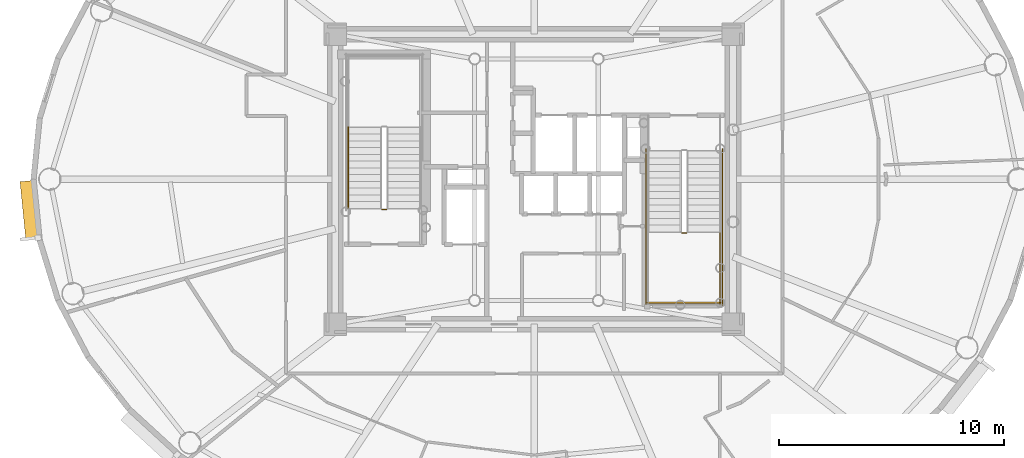
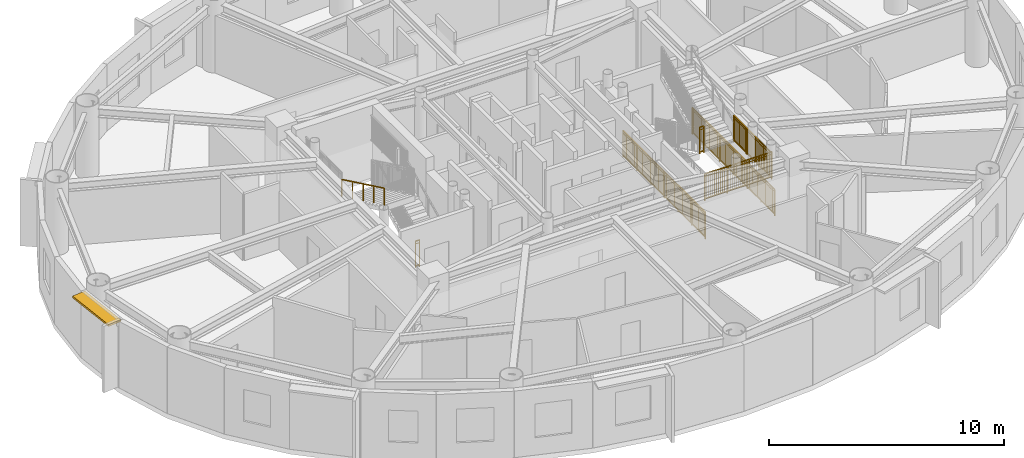
# One storey, part 13 of 17: 7 railings, 1 shading device.
"""IFC4 building model written with IfcOpenShell, lengths in metres."""

from ifc_helpers import new_model, si_unit, direction, frame, origin, origin_2d, place, context, subcontext, project, spatial, rectangle, extrude, source, transform, mapped, material, layer, layer_set, type_object, element, save


model = new_model("IFC4")

# Units and contexts
model_context = context("Model", 3, precision=1e-05, world=origin(), true_north=direction((0.0, 1.0)))
body_context = subcontext(model_context, "Body", "Model", "MODEL_VIEW")
ifc_project = project(units=[si_unit("LENGTHUNIT", "METRE"), si_unit("AREAUNIT", "SQUARE_METRE"), si_unit("VOLUMEUNIT", "CUBIC_METRE"), si_unit("PLANEANGLEUNIT", "RADIAN"), si_unit("MASSUNIT", "GRAM", prefix="KILO")], contexts=[model_context])

# Site, building, storey
site_placement = place(None, origin())
site = spatial("IfcSite", under=ifc_project, at=site_placement, CompositionType="ELEMENT")
building_placement = place(site_placement, origin())
building = spatial("IfcBuilding", under=site, at=building_placement, Name="Linh Dai School and Residence Tower", CompositionType="ELEMENT")
storey_placement = place(building_placement, frame((0.0, 0.0, 314.25)))
storey = spatial("IfcBuildingStorey", under=building, at=storey_placement, Name="L78", CompositionType="ELEMENT", Elevation=314.25)

# Shading device
ifc_material_1 = material(Name="Terracotta Ceramic Sunshade", Category="masonry")
ifc_layer = layer(ifc_material_1, 0.10009765625)
ifc_layer_set = layer_set([ifc_layer], Name="Terracotta Ceramic Sunshade")
shading_device_type = type_object("IfcShadingDeviceType", Name="SHD-TC-650", PredefinedType="USERDEFINED", material=ifc_layer_set)
shared_shape_1 = source(origin(), body_context, "Body", "SweptSolid", [
    extrude(rectangle(XDim=2.62353515625, YDim=0.64990234375, at=origin_2d()), origin(), (0.0, 0.0, 1.0), 0.10009765625),
])
shading_device_placement = place(storey_placement, frame((13.578125, 25.612060546875, 3.329833984375), z_axis=(0.0, 0.0, 1.0), x_axis=(-0.100008034283, 0.994986629598, 0.0)))
element("IfcShadingDevice", 1, at=shading_device_placement, inside=storey, type_object=shading_device_type, Name="L78 Terracotta Horizontal Sunshade Band 21", ObjectType="SUNSHADE", PredefinedType="USERDEFINED", context=body_context, shape_type="MappedRepresentation", body=[
    mapped(shared_shape_1, transform((0.0, 0.0, 0.0), x_axis=(1.0, 0.0, 0.0), y_axis=(0.0, 1.0, 0.0), z_axis=(0.0, 0.0, 1.0), scale=1.0)),
])

# Railings
ifc_material_2 = material(Name="Structural Steel S355JR", Category="steel")
railing_type_1 = type_object("IfcRailingType", Name="RL-ST-GUARD-1400", PredefinedType="GUARDRAIL", material=ifc_material_2)
shared_shape_2 = source(origin(), body_context, "Body", "SweptSolid", [
    extrude(rectangle(XDim=0.048095703125, YDim=0.048095703125, at=origin_2d()), frame((0.0, 0.0, 1.3759765625), z_axis=(-1.0, 0.0, 0.0), x_axis=(0.0, -1.0, 0.0)), (0.0, 0.0, 1.0), 0.199951171875),
    extrude(rectangle(XDim=0.048095703125, YDim=0.048095703125, at=origin_2d()), frame((0.0, 0.0, 0.10009765625), z_axis=(-1.0, 0.0, 0.0), x_axis=(0.0, -1.0, 0.0)), (0.0, 0.0, 1.0), 0.199951171875),
    extrude(rectangle(XDim=0.030029296875, YDim=0.030029296875, at=origin_2d()), frame((0.0, 0.0, 1.239990234375), z_axis=(-1.0, 0.0, 0.0), x_axis=(0.0, -1.0, 0.0)), (0.0, 0.0, 1.0), 0.199951171875),
    extrude(rectangle(XDim=0.0419921875, YDim=0.0419921875, at=origin_2d()), origin(), (0.0, 0.0, 1.0), 1.3759765625),
    extrude(rectangle(XDim=0.0419921875, YDim=0.0419921875, at=origin_2d()), frame((-0.199951171875, 0.0, 0.0)), (0.0, 0.0, 1.0), 1.3759765625),
])
railing_1_placement = place(storey_placement, frame((29.429931640625, 25.64990234375, 0.0)))
element("IfcRailing", 2, at=railing_1_placement, inside=storey, type_object=railing_type_1, Name="L78 ST1 stair guard 7", PredefinedType="GUARDRAIL", context=body_context, shape_type="MappedRepresentation", body=[
    mapped(shared_shape_2, transform((0.0, 0.0, 0.0), x_axis=(1.0, 0.0, 0.0), y_axis=(0.0, 1.0, 0.0), z_axis=(0.0, 0.0, 1.0), scale=1.0)),
])
ifc_material_3 = material(Name="Brushed Stainless Steel Handrail", Category="steel")
railing_type_2 = type_object("IfcRailingType", Name="RL-ST-HANDRAIL-900", PredefinedType="HANDRAIL", material=ifc_material_3)
shared_shape_3 = source(origin(), body_context, "Body", "SweptSolid", [
    extrude(rectangle(XDim=0.048095703125, YDim=0.048095703125, at=origin_2d()), frame((0.0, 0.0, 0.8759765625), z_axis=(0.0, -0.901262522062, 0.433273431364), x_axis=(1.0, 0.0, 0.0)), (0.0, 0.0, 1.0), 3.994384765625),
    extrude(rectangle(XDim=0.0419921875, YDim=0.0419921875, at=origin_2d()), origin(), (0.0, 0.0, 1.0), 0.8759765625),
    extrude(rectangle(XDim=0.0419921875, YDim=0.0419921875, at=origin_2d()), frame((0.0, -0.89990234375, 0.4326171875)), (0.0, 0.0, 1.0), 0.8759765625),
    extrude(rectangle(XDim=0.0419921875, YDim=0.0419921875, at=origin_2d()), frame((0.0, -1.800048828125, 0.865234375)), (0.0, 0.0, 1.0), 0.8759765625),
    extrude(rectangle(XDim=0.0419921875, YDim=0.0419921875, at=origin_2d()), frame((0.0, -2.7001953125, 1.298095703125)), (0.0, 0.0, 1.0), 0.8759765625),
    extrude(rectangle(XDim=0.0419921875, YDim=0.0419921875, at=origin_2d()), frame((0.0, -3.60009765625, 1.730712890625)), (0.0, 0.0, 1.0), 0.8759765625),
])
railing_2_placement = place(storey_placement, frame((27.72998046875, 29.300048828125, 2.019287109375)))
element("IfcRailing", 3, at=railing_2_placement, inside=storey, type_object=railing_type_2, Name="L78 ST1 stair handrail 2", PredefinedType="HANDRAIL", context=body_context, shape_type="MappedRepresentation", body=[
    mapped(shared_shape_3, transform((0.0, 0.0, 0.0), x_axis=(1.0, 0.0, 0.0), y_axis=(0.0, 1.0, 0.0), z_axis=(0.0, 0.0, 1.0), scale=1.0)),
])
shared_shape_4 = source(origin(), body_context, "Body", "SweptSolid", [
    extrude(rectangle(XDim=0.048095703125, YDim=0.048095703125, at=origin_2d()), frame((0.0, 0.0, 1.3759765625), z_axis=(1.0, 0.0, 0.0), x_axis=(0.0, 1.0, 0.0)), (0.0, 0.0, 1.0), 0.199951171875),
    extrude(rectangle(XDim=0.048095703125, YDim=0.048095703125, at=origin_2d()), frame((0.0, 0.0, 0.10009765625), z_axis=(1.0, 0.0, 0.0), x_axis=(0.0, 1.0, 0.0)), (0.0, 0.0, 1.0), 0.199951171875),
    extrude(rectangle(XDim=0.030029296875, YDim=0.030029296875, at=origin_2d()), frame((0.0, 0.0, 1.239990234375), z_axis=(1.0, 0.0, 0.0), x_axis=(0.0, 1.0, 0.0)), (0.0, 0.0, 1.0), 0.199951171875),
    extrude(rectangle(XDim=0.0419921875, YDim=0.0419921875, at=origin_2d()), origin(), (0.0, 0.0, 1.0), 1.3759765625),
    extrude(rectangle(XDim=0.0419921875, YDim=0.0419921875, at=origin_2d()), frame((0.199951171875, 0.0, 0.0)), (0.0, 0.0, 1.0), 1.3759765625),
])
railing_3_placement = place(storey_placement, frame((42.570068359375, 24.60009765625, 1.875)))
element("IfcRailing", 4, at=railing_3_placement, inside=storey, type_object=railing_type_1, Name="L78 ST2 stair guard 2", PredefinedType="GUARDRAIL", context=body_context, shape_type="MappedRepresentation", body=[
    mapped(shared_shape_4, transform((0.0, 0.0, 0.0), x_axis=(1.0, 0.0, 0.0), y_axis=(0.0, 1.0, 0.0), z_axis=(0.0, 0.0, 1.0), scale=1.0)),
])
shared_shape_5 = source(origin(), body_context, "Body", "SweptSolid", [
    extrude(rectangle(XDim=0.048095703125, YDim=0.048095703125, at=origin_2d()), frame((0.0, 0.0, 1.3759765625), z_axis=(1.0, 0.0, 0.0), x_axis=(0.0, 1.0, 0.0)), (0.0, 0.0, 1.0), 3.300048828125),
    extrude(rectangle(XDim=0.048095703125, YDim=0.048095703125, at=origin_2d()), frame((0.0, 0.0, 0.10009765625), z_axis=(1.0, 0.0, 0.0), x_axis=(0.0, 1.0, 0.0)), (0.0, 0.0, 1.0), 3.300048828125),
    extrude(rectangle(XDim=0.030029296875, YDim=0.030029296875, at=origin_2d()), frame((0.0, 0.0, 1.239990234375), z_axis=(1.0, 0.0, 0.0), x_axis=(0.0, 1.0, 0.0)), (0.0, 0.0, 1.0), 3.300048828125),
    extrude(rectangle(XDim=0.02001953125, YDim=0.02001953125, at=origin_2d()), frame((0.09716796875, 0.0, 0.10009765625)), (0.0, 0.0, 1.0), 1.251708984375),
    extrude(rectangle(XDim=0.02001953125, YDim=0.02001953125, at=origin_2d()), frame((0.194091796875, 0.0, 0.10009765625)), (0.0, 0.0, 1.0), 1.251708984375),
    extrude(rectangle(XDim=0.02001953125, YDim=0.02001953125, at=origin_2d()), frame((0.291259765625, 0.0, 0.10009765625)), (0.0, 0.0, 1.0), 1.251708984375),
    extrude(rectangle(XDim=0.02001953125, YDim=0.02001953125, at=origin_2d()), frame((0.38818359375, 0.0, 0.10009765625)), (0.0, 0.0, 1.0), 1.251708984375),
    extrude(rectangle(XDim=0.02001953125, YDim=0.02001953125, at=origin_2d()), frame((0.4853515625, 0.0, 0.10009765625)), (0.0, 0.0, 1.0), 1.251708984375),
    extrude(rectangle(XDim=0.02001953125, YDim=0.02001953125, at=origin_2d()), frame((0.582275390625, 0.0, 0.10009765625)), (0.0, 0.0, 1.0), 1.251708984375),
    extrude(rectangle(XDim=0.02001953125, YDim=0.02001953125, at=origin_2d()), frame((0.679443359375, 0.0, 0.10009765625)), (0.0, 0.0, 1.0), 1.251708984375),
    extrude(rectangle(XDim=0.02001953125, YDim=0.02001953125, at=origin_2d()), frame((0.7763671875, 0.0, 0.10009765625)), (0.0, 0.0, 1.0), 1.251708984375),
    extrude(rectangle(XDim=0.02001953125, YDim=0.02001953125, at=origin_2d()), frame((0.87353515625, 0.0, 0.10009765625)), (0.0, 0.0, 1.0), 1.251708984375),
    extrude(rectangle(XDim=0.02001953125, YDim=0.02001953125, at=origin_2d()), frame((0.970703125, 0.0, 0.10009765625)), (0.0, 0.0, 1.0), 1.251708984375),
    extrude(rectangle(XDim=0.02001953125, YDim=0.02001953125, at=origin_2d()), frame((1.164794921875, 0.0, 0.10009765625)), (0.0, 0.0, 1.0), 1.251708984375),
    extrude(rectangle(XDim=0.02001953125, YDim=0.02001953125, at=origin_2d()), frame((1.26171875, 0.0, 0.10009765625)), (0.0, 0.0, 1.0), 1.251708984375),
    extrude(rectangle(XDim=0.02001953125, YDim=0.02001953125, at=origin_2d()), frame((1.35888671875, 0.0, 0.10009765625)), (0.0, 0.0, 1.0), 1.251708984375),
    extrude(rectangle(XDim=0.02001953125, YDim=0.02001953125, at=origin_2d()), frame((1.455810546875, 0.0, 0.10009765625)), (0.0, 0.0, 1.0), 1.251708984375),
    extrude(rectangle(XDim=0.02001953125, YDim=0.02001953125, at=origin_2d()), frame((1.552978515625, 0.0, 0.10009765625)), (0.0, 0.0, 1.0), 1.251708984375),
    extrude(rectangle(XDim=0.02001953125, YDim=0.02001953125, at=origin_2d()), frame((1.64990234375, 0.0, 0.10009765625)), (0.0, 0.0, 1.0), 1.251708984375),
    extrude(rectangle(XDim=0.02001953125, YDim=0.02001953125, at=origin_2d()), frame((1.7470703125, 0.0, 0.10009765625)), (0.0, 0.0, 1.0), 1.251708984375),
    extrude(rectangle(XDim=0.02001953125, YDim=0.02001953125, at=origin_2d()), frame((1.84423828125, 0.0, 0.10009765625)), (0.0, 0.0, 1.0), 1.251708984375),
    extrude(rectangle(XDim=0.02001953125, YDim=0.02001953125, at=origin_2d()), frame((1.941162109375, 0.0, 0.10009765625)), (0.0, 0.0, 1.0), 1.251708984375),
    extrude(rectangle(XDim=0.02001953125, YDim=0.02001953125, at=origin_2d()), frame((2.038330078125, 0.0, 0.10009765625)), (0.0, 0.0, 1.0), 1.251708984375),
    extrude(rectangle(XDim=0.02001953125, YDim=0.02001953125, at=origin_2d()), frame((2.13525390625, 0.0, 0.10009765625)), (0.0, 0.0, 1.0), 1.251708984375),
    extrude(rectangle(XDim=0.02001953125, YDim=0.02001953125, at=origin_2d()), frame((2.329345703125, 0.0, 0.10009765625)), (0.0, 0.0, 1.0), 1.251708984375),
    extrude(rectangle(XDim=0.02001953125, YDim=0.02001953125, at=origin_2d()), frame((2.426513671875, 0.0, 0.10009765625)), (0.0, 0.0, 1.0), 1.251708984375),
    extrude(rectangle(XDim=0.02001953125, YDim=0.02001953125, at=origin_2d()), frame((2.523681640625, 0.0, 0.10009765625)), (0.0, 0.0, 1.0), 1.251708984375),
    extrude(rectangle(XDim=0.02001953125, YDim=0.02001953125, at=origin_2d()), frame((2.62060546875, 0.0, 0.10009765625)), (0.0, 0.0, 1.0), 1.251708984375),
    extrude(rectangle(XDim=0.02001953125, YDim=0.02001953125, at=origin_2d()), frame((2.7177734375, 0.0, 0.10009765625)), (0.0, 0.0, 1.0), 1.251708984375),
    extrude(rectangle(XDim=0.02001953125, YDim=0.02001953125, at=origin_2d()), frame((2.814697265625, 0.0, 0.10009765625)), (0.0, 0.0, 1.0), 1.251708984375),
    extrude(rectangle(XDim=0.02001953125, YDim=0.02001953125, at=origin_2d()), frame((2.911865234375, 0.0, 0.10009765625)), (0.0, 0.0, 1.0), 1.251708984375),
    extrude(rectangle(XDim=0.02001953125, YDim=0.02001953125, at=origin_2d()), frame((3.0087890625, 0.0, 0.10009765625)), (0.0, 0.0, 1.0), 1.251708984375),
    extrude(rectangle(XDim=0.02001953125, YDim=0.02001953125, at=origin_2d()), frame((3.10595703125, 0.0, 0.10009765625)), (0.0, 0.0, 1.0), 1.251708984375),
    extrude(rectangle(XDim=0.02001953125, YDim=0.02001953125, at=origin_2d()), frame((3.202880859375, 0.0, 0.10009765625)), (0.0, 0.0, 1.0), 1.251708984375),
    extrude(rectangle(XDim=0.0419921875, YDim=0.0419921875, at=origin_2d()), origin(), (0.0, 0.0, 1.0), 1.3759765625),
    extrude(rectangle(XDim=0.0419921875, YDim=0.0419921875, at=origin_2d()), frame((1.10009765625, 0.0, 0.0)), (0.0, 0.0, 1.0), 1.3759765625),
    extrude(rectangle(XDim=0.0419921875, YDim=0.0419921875, at=origin_2d()), frame((2.199951171875, 0.0, 0.0)), (0.0, 0.0, 1.0), 1.3759765625),
    extrude(rectangle(XDim=0.0419921875, YDim=0.0419921875, at=origin_2d()), frame((3.300048828125, 0.0, 0.0)), (0.0, 0.0, 1.0), 1.3759765625),
])
railing_4_placement = place(storey_placement, frame((41.02001953125, 21.5, 1.875)))
element("IfcRailing", 5, at=railing_4_placement, inside=storey, type_object=railing_type_1, Name="L78 ST2 stair guard 5", PredefinedType="GUARDRAIL", context=body_context, shape_type="MappedRepresentation", body=[
    mapped(shared_shape_5, transform((0.0, 0.0, 0.0), x_axis=(1.0, 0.0, 0.0), y_axis=(0.0, 1.0, 0.0), z_axis=(0.0, 0.0, 1.0), scale=1.0)),
])
shared_shape_6 = source(origin(), body_context, "Body", "SweptSolid", [
    extrude(rectangle(XDim=0.048095703125, YDim=0.048095703125, at=origin_2d()), frame((0.0, 0.0, 1.3759765625), z_axis=(0.0, -1.0, 0.0), x_axis=(1.0, 0.0, 0.0)), (0.0, 0.0, 1.0), 7.0),
    extrude(rectangle(XDim=0.048095703125, YDim=0.048095703125, at=origin_2d()), frame((0.0, 0.0, 0.10009765625), z_axis=(0.0, -1.0, 0.0), x_axis=(1.0, 0.0, 0.0)), (0.0, 0.0, 1.0), 7.0),
    extrude(rectangle(XDim=0.030029296875, YDim=0.030029296875, at=origin_2d()), frame((0.0, 0.0, 1.239990234375), z_axis=(0.0, -1.0, 0.0), x_axis=(1.0, 0.0, 0.0)), (0.0, 0.0, 1.0), 7.0),
    extrude(rectangle(XDim=0.02001953125, YDim=0.02001953125, at=origin_2d()), frame((0.0, -0.09716796875, 0.10009765625)), (0.0, 0.0, 1.0), 1.251708984375),
    extrude(rectangle(XDim=0.02001953125, YDim=0.02001953125, at=origin_2d()), frame((0.0, -0.1943359375, 0.10009765625)), (0.0, 0.0, 1.0), 1.251708984375),
    extrude(rectangle(XDim=0.02001953125, YDim=0.02001953125, at=origin_2d()), frame((0.0, -0.291748046875, 0.10009765625)), (0.0, 0.0, 1.0), 1.251708984375),
    extrude(rectangle(XDim=0.02001953125, YDim=0.02001953125, at=origin_2d()), frame((0.0, -0.388916015625, 0.10009765625)), (0.0, 0.0, 1.0), 1.251708984375),
    extrude(rectangle(XDim=0.02001953125, YDim=0.02001953125, at=origin_2d()), frame((0.0, -0.486083984375, 0.10009765625)), (0.0, 0.0, 1.0), 1.251708984375),
    extrude(rectangle(XDim=0.02001953125, YDim=0.02001953125, at=origin_2d()), frame((0.0, -0.583251953125, 0.10009765625)), (0.0, 0.0, 1.0), 1.251708984375),
    extrude(rectangle(XDim=0.02001953125, YDim=0.02001953125, at=origin_2d()), frame((0.0, -0.6806640625, 0.10009765625)), (0.0, 0.0, 1.0), 1.251708984375),
    extrude(rectangle(XDim=0.02001953125, YDim=0.02001953125, at=origin_2d()), frame((0.0, -0.77783203125, 0.10009765625)), (0.0, 0.0, 1.0), 1.251708984375),
    extrude(rectangle(XDim=0.02001953125, YDim=0.02001953125, at=origin_2d()), frame((0.0, -0.875, 0.10009765625)), (0.0, 0.0, 1.0), 1.251708984375),
    extrude(rectangle(XDim=0.02001953125, YDim=0.02001953125, at=origin_2d()), frame((0.0, -0.97216796875, 0.10009765625)), (0.0, 0.0, 1.0), 1.251708984375),
    extrude(rectangle(XDim=0.02001953125, YDim=0.02001953125, at=origin_2d()), frame((0.0, -1.0693359375, 0.10009765625)), (0.0, 0.0, 1.0), 1.251708984375),
    extrude(rectangle(XDim=0.02001953125, YDim=0.02001953125, at=origin_2d()), frame((0.0, -1.263916015625, 0.10009765625)), (0.0, 0.0, 1.0), 1.251708984375),
    extrude(rectangle(XDim=0.02001953125, YDim=0.02001953125, at=origin_2d()), frame((0.0, -1.361083984375, 0.10009765625)), (0.0, 0.0, 1.0), 1.251708984375),
    extrude(rectangle(XDim=0.02001953125, YDim=0.02001953125, at=origin_2d()), frame((0.0, -1.458251953125, 0.10009765625)), (0.0, 0.0, 1.0), 1.251708984375),
    extrude(rectangle(XDim=0.02001953125, YDim=0.02001953125, at=origin_2d()), frame((0.0, -1.5556640625, 0.10009765625)), (0.0, 0.0, 1.0), 1.251708984375),
    extrude(rectangle(XDim=0.02001953125, YDim=0.02001953125, at=origin_2d()), frame((0.0, -1.65283203125, 0.10009765625)), (0.0, 0.0, 1.0), 1.251708984375),
    extrude(rectangle(XDim=0.02001953125, YDim=0.02001953125, at=origin_2d()), frame((0.0, -1.75, 0.10009765625)), (0.0, 0.0, 1.0), 1.251708984375),
    extrude(rectangle(XDim=0.02001953125, YDim=0.02001953125, at=origin_2d()), frame((0.0, -1.84716796875, 0.10009765625)), (0.0, 0.0, 1.0), 1.251708984375),
    extrude(rectangle(XDim=0.02001953125, YDim=0.02001953125, at=origin_2d()), frame((0.0, -1.9443359375, 0.10009765625)), (0.0, 0.0, 1.0), 1.251708984375),
    extrude(rectangle(XDim=0.02001953125, YDim=0.02001953125, at=origin_2d()), frame((0.0, -2.041748046875, 0.10009765625)), (0.0, 0.0, 1.0), 1.251708984375),
    extrude(rectangle(XDim=0.02001953125, YDim=0.02001953125, at=origin_2d()), frame((0.0, -2.138916015625, 0.10009765625)), (0.0, 0.0, 1.0), 1.251708984375),
    extrude(rectangle(XDim=0.02001953125, YDim=0.02001953125, at=origin_2d()), frame((0.0, -2.236083984375, 0.10009765625)), (0.0, 0.0, 1.0), 1.251708984375),
    extrude(rectangle(XDim=0.02001953125, YDim=0.02001953125, at=origin_2d()), frame((0.0, -2.4306640625, 0.10009765625)), (0.0, 0.0, 1.0), 1.251708984375),
    extrude(rectangle(XDim=0.02001953125, YDim=0.02001953125, at=origin_2d()), frame((0.0, -2.52783203125, 0.10009765625)), (0.0, 0.0, 1.0), 1.251708984375),
    extrude(rectangle(XDim=0.02001953125, YDim=0.02001953125, at=origin_2d()), frame((0.0, -2.625, 0.10009765625)), (0.0, 0.0, 1.0), 1.251708984375),
    extrude(rectangle(XDim=0.02001953125, YDim=0.02001953125, at=origin_2d()), frame((0.0, -2.72216796875, 0.10009765625)), (0.0, 0.0, 1.0), 1.251708984375),
    extrude(rectangle(XDim=0.02001953125, YDim=0.02001953125, at=origin_2d()), frame((0.0, -2.8193359375, 0.10009765625)), (0.0, 0.0, 1.0), 1.251708984375),
    extrude(rectangle(XDim=0.02001953125, YDim=0.02001953125, at=origin_2d()), frame((0.0, -2.916748046875, 0.10009765625)), (0.0, 0.0, 1.0), 1.251708984375),
    extrude(rectangle(XDim=0.02001953125, YDim=0.02001953125, at=origin_2d()), frame((0.0, -3.013916015625, 0.10009765625)), (0.0, 0.0, 1.0), 1.251708984375),
    extrude(rectangle(XDim=0.02001953125, YDim=0.02001953125, at=origin_2d()), frame((0.0, -3.111083984375, 0.10009765625)), (0.0, 0.0, 1.0), 1.251708984375),
    extrude(rectangle(XDim=0.02001953125, YDim=0.02001953125, at=origin_2d()), frame((0.0, -3.208251953125, 0.10009765625)), (0.0, 0.0, 1.0), 1.251708984375),
    extrude(rectangle(XDim=0.02001953125, YDim=0.02001953125, at=origin_2d()), frame((0.0, -3.3056640625, 0.10009765625)), (0.0, 0.0, 1.0), 1.251708984375),
    extrude(rectangle(XDim=0.02001953125, YDim=0.02001953125, at=origin_2d()), frame((0.0, -3.40283203125, 0.10009765625)), (0.0, 0.0, 1.0), 1.251708984375),
    extrude(rectangle(XDim=0.02001953125, YDim=0.02001953125, at=origin_2d()), frame((0.0, -3.59716796875, 0.10009765625)), (0.0, 0.0, 1.0), 1.251708984375),
    extrude(rectangle(XDim=0.02001953125, YDim=0.02001953125, at=origin_2d()), frame((0.0, -3.6943359375, 0.10009765625)), (0.0, 0.0, 1.0), 1.251708984375),
    extrude(rectangle(XDim=0.02001953125, YDim=0.02001953125, at=origin_2d()), frame((0.0, -3.791748046875, 0.10009765625)), (0.0, 0.0, 1.0), 1.251708984375),
    extrude(rectangle(XDim=0.02001953125, YDim=0.02001953125, at=origin_2d()), frame((0.0, -3.888916015625, 0.10009765625)), (0.0, 0.0, 1.0), 1.251708984375),
    extrude(rectangle(XDim=0.02001953125, YDim=0.02001953125, at=origin_2d()), frame((0.0, -3.986083984375, 0.10009765625)), (0.0, 0.0, 1.0), 1.251708984375),
    extrude(rectangle(XDim=0.02001953125, YDim=0.02001953125, at=origin_2d()), frame((0.0, -4.083251953125, 0.10009765625)), (0.0, 0.0, 1.0), 1.251708984375),
    extrude(rectangle(XDim=0.02001953125, YDim=0.02001953125, at=origin_2d()), frame((0.0, -4.1806640625, 0.10009765625)), (0.0, 0.0, 1.0), 1.251708984375),
    extrude(rectangle(XDim=0.02001953125, YDim=0.02001953125, at=origin_2d()), frame((0.0, -4.27783203125, 0.10009765625)), (0.0, 0.0, 1.0), 1.251708984375),
    extrude(rectangle(XDim=0.02001953125, YDim=0.02001953125, at=origin_2d()), frame((0.0, -4.375, 0.10009765625)), (0.0, 0.0, 1.0), 1.251708984375),
    extrude(rectangle(XDim=0.02001953125, YDim=0.02001953125, at=origin_2d()), frame((0.0, -4.47216796875, 0.10009765625)), (0.0, 0.0, 1.0), 1.251708984375),
    extrude(rectangle(XDim=0.02001953125, YDim=0.02001953125, at=origin_2d()), frame((0.0, -4.5693359375, 0.10009765625)), (0.0, 0.0, 1.0), 1.251708984375),
    extrude(rectangle(XDim=0.02001953125, YDim=0.02001953125, at=origin_2d()), frame((0.0, -4.763916015625, 0.10009765625)), (0.0, 0.0, 1.0), 1.251708984375),
    extrude(rectangle(XDim=0.02001953125, YDim=0.02001953125, at=origin_2d()), frame((0.0, -4.861083984375, 0.10009765625)), (0.0, 0.0, 1.0), 1.251708984375),
    extrude(rectangle(XDim=0.02001953125, YDim=0.02001953125, at=origin_2d()), frame((0.0, -4.958251953125, 0.10009765625)), (0.0, 0.0, 1.0), 1.251708984375),
    extrude(rectangle(XDim=0.02001953125, YDim=0.02001953125, at=origin_2d()), frame((0.0, -5.0556640625, 0.10009765625)), (0.0, 0.0, 1.0), 1.251708984375),
    extrude(rectangle(XDim=0.02001953125, YDim=0.02001953125, at=origin_2d()), frame((0.0, -5.15283203125, 0.10009765625)), (0.0, 0.0, 1.0), 1.251708984375),
    extrude(rectangle(XDim=0.02001953125, YDim=0.02001953125, at=origin_2d()), frame((0.0, -5.25, 0.10009765625)), (0.0, 0.0, 1.0), 1.251708984375),
    extrude(rectangle(XDim=0.02001953125, YDim=0.02001953125, at=origin_2d()), frame((0.0, -5.34716796875, 0.10009765625)), (0.0, 0.0, 1.0), 1.251708984375),
    extrude(rectangle(XDim=0.02001953125, YDim=0.02001953125, at=origin_2d()), frame((0.0, -5.4443359375, 0.10009765625)), (0.0, 0.0, 1.0), 1.251708984375),
    extrude(rectangle(XDim=0.02001953125, YDim=0.02001953125, at=origin_2d()), frame((0.0, -5.541748046875, 0.10009765625)), (0.0, 0.0, 1.0), 1.251708984375),
    extrude(rectangle(XDim=0.02001953125, YDim=0.02001953125, at=origin_2d()), frame((0.0, -5.638916015625, 0.10009765625)), (0.0, 0.0, 1.0), 1.251708984375),
    extrude(rectangle(XDim=0.02001953125, YDim=0.02001953125, at=origin_2d()), frame((0.0, -5.736083984375, 0.10009765625)), (0.0, 0.0, 1.0), 1.251708984375),
    extrude(rectangle(XDim=0.02001953125, YDim=0.02001953125, at=origin_2d()), frame((0.0, -5.9306640625, 0.10009765625)), (0.0, 0.0, 1.0), 1.251708984375),
    extrude(rectangle(XDim=0.02001953125, YDim=0.02001953125, at=origin_2d()), frame((0.0, -6.02783203125, 0.10009765625)), (0.0, 0.0, 1.0), 1.251708984375),
    extrude(rectangle(XDim=0.02001953125, YDim=0.02001953125, at=origin_2d()), frame((0.0, -6.125, 0.10009765625)), (0.0, 0.0, 1.0), 1.251708984375),
    extrude(rectangle(XDim=0.02001953125, YDim=0.02001953125, at=origin_2d()), frame((0.0, -6.22216796875, 0.10009765625)), (0.0, 0.0, 1.0), 1.251708984375),
    extrude(rectangle(XDim=0.02001953125, YDim=0.02001953125, at=origin_2d()), frame((0.0, -6.3193359375, 0.10009765625)), (0.0, 0.0, 1.0), 1.251708984375),
    extrude(rectangle(XDim=0.02001953125, YDim=0.02001953125, at=origin_2d()), frame((0.0, -6.416748046875, 0.10009765625)), (0.0, 0.0, 1.0), 1.251708984375),
    extrude(rectangle(XDim=0.02001953125, YDim=0.02001953125, at=origin_2d()), frame((0.0, -6.513916015625, 0.10009765625)), (0.0, 0.0, 1.0), 1.251708984375),
    extrude(rectangle(XDim=0.02001953125, YDim=0.02001953125, at=origin_2d()), frame((0.0, -6.611083984375, 0.10009765625)), (0.0, 0.0, 1.0), 1.251708984375),
    extrude(rectangle(XDim=0.02001953125, YDim=0.02001953125, at=origin_2d()), frame((0.0, -6.708251953125, 0.10009765625)), (0.0, 0.0, 1.0), 1.251708984375),
    extrude(rectangle(XDim=0.02001953125, YDim=0.02001953125, at=origin_2d()), frame((0.0, -6.8056640625, 0.10009765625)), (0.0, 0.0, 1.0), 1.251708984375),
    extrude(rectangle(XDim=0.02001953125, YDim=0.02001953125, at=origin_2d()), frame((0.0, -6.90283203125, 0.10009765625)), (0.0, 0.0, 1.0), 1.251708984375),
    extrude(rectangle(XDim=0.0419921875, YDim=0.0419921875, at=origin_2d()), origin(), (0.0, 0.0, 1.0), 1.3759765625),
    extrude(rectangle(XDim=0.0419921875, YDim=0.0419921875, at=origin_2d()), frame((0.0, -1.166748046875, 0.0)), (0.0, 0.0, 1.0), 1.3759765625),
    extrude(rectangle(XDim=0.0419921875, YDim=0.0419921875, at=origin_2d()), frame((0.0, -2.333251953125, 0.0)), (0.0, 0.0, 1.0), 1.3759765625),
    extrude(rectangle(XDim=0.0419921875, YDim=0.0419921875, at=origin_2d()), frame((0.0, -3.5, 0.0)), (0.0, 0.0, 1.0), 1.3759765625),
    extrude(rectangle(XDim=0.0419921875, YDim=0.0419921875, at=origin_2d()), frame((0.0, -4.666748046875, 0.0)), (0.0, 0.0, 1.0), 1.3759765625),
    extrude(rectangle(XDim=0.0419921875, YDim=0.0419921875, at=origin_2d()), frame((0.0, -5.833251953125, 0.0)), (0.0, 0.0, 1.0), 1.3759765625),
    extrude(rectangle(XDim=0.0419921875, YDim=0.0419921875, at=origin_2d()), frame((0.0, -7.0, 0.0)), (0.0, 0.0, 1.0), 1.3759765625),
])
for number, where, name in (
    (6, (40.969970703125, 28.35009765625, 0.0), "L78 ST2 stair guard 10"),
    (7, (44.3701171875, 28.35009765625, 0.0), "L78 ST2 stair guard 11"),
):
    element("IfcRailing", number, at=place(storey_placement, frame(where)), inside=storey, type_object=railing_type_1, Name=name, PredefinedType="GUARDRAIL", context=body_context, shape_type="MappedRepresentation", body=[
        mapped(shared_shape_6, transform((0.0, 0.0, 0.0), x_axis=(1.0, 0.0, 0.0), y_axis=(0.0, 1.0, 0.0), z_axis=(0.0, 0.0, 1.0), scale=1.0)),
    ])
shared_shape_7 = source(origin(), body_context, "Body", "SweptSolid", [
    extrude(rectangle(XDim=0.048095703125, YDim=0.048095703125, at=origin_2d()), frame((0.0, 0.0, 1.3759765625), z_axis=(0.0, -1.0, 0.0), x_axis=(1.0, 0.0, 0.0)), (0.0, 0.0, 1.0), 3.199951171875),
    extrude(rectangle(XDim=0.048095703125, YDim=0.048095703125, at=origin_2d()), frame((0.0, 0.0, 0.10009765625), z_axis=(0.0, -1.0, 0.0), x_axis=(1.0, 0.0, 0.0)), (0.0, 0.0, 1.0), 3.199951171875),
    extrude(rectangle(XDim=0.030029296875, YDim=0.030029296875, at=origin_2d()), frame((0.0, 0.0, 1.239990234375), z_axis=(0.0, -1.0, 0.0), x_axis=(1.0, 0.0, 0.0)), (0.0, 0.0, 1.0), 3.199951171875),
    extrude(rectangle(XDim=0.02001953125, YDim=0.02001953125, at=origin_2d()), frame((0.0, -0.096923828125, 0.10009765625)), (0.0, 0.0, 1.0), 1.251708984375),
    extrude(rectangle(XDim=0.02001953125, YDim=0.02001953125, at=origin_2d()), frame((0.0, -0.19384765625, 0.10009765625)), (0.0, 0.0, 1.0), 1.251708984375),
    extrude(rectangle(XDim=0.02001953125, YDim=0.02001953125, at=origin_2d()), frame((0.0, -0.291015625, 0.10009765625)), (0.0, 0.0, 1.0), 1.251708984375),
    extrude(rectangle(XDim=0.02001953125, YDim=0.02001953125, at=origin_2d()), frame((0.0, -0.387939453125, 0.10009765625)), (0.0, 0.0, 1.0), 1.251708984375),
    extrude(rectangle(XDim=0.02001953125, YDim=0.02001953125, at=origin_2d()), frame((0.0, -0.48486328125, 0.10009765625)), (0.0, 0.0, 1.0), 1.251708984375),
    extrude(rectangle(XDim=0.02001953125, YDim=0.02001953125, at=origin_2d()), frame((0.0, -0.581787109375, 0.10009765625)), (0.0, 0.0, 1.0), 1.251708984375),
    extrude(rectangle(XDim=0.02001953125, YDim=0.02001953125, at=origin_2d()), frame((0.0, -0.6787109375, 0.10009765625)), (0.0, 0.0, 1.0), 1.251708984375),
    extrude(rectangle(XDim=0.02001953125, YDim=0.02001953125, at=origin_2d()), frame((0.0, -0.775634765625, 0.10009765625)), (0.0, 0.0, 1.0), 1.251708984375),
    extrude(rectangle(XDim=0.02001953125, YDim=0.02001953125, at=origin_2d()), frame((0.0, -0.872802734375, 0.10009765625)), (0.0, 0.0, 1.0), 1.251708984375),
    extrude(rectangle(XDim=0.02001953125, YDim=0.02001953125, at=origin_2d()), frame((0.0, -0.9697265625, 0.10009765625)), (0.0, 0.0, 1.0), 1.251708984375),
    extrude(rectangle(XDim=0.02001953125, YDim=0.02001953125, at=origin_2d()), frame((0.0, -1.16357421875, 0.10009765625)), (0.0, 0.0, 1.0), 1.251708984375),
    extrude(rectangle(XDim=0.02001953125, YDim=0.02001953125, at=origin_2d()), frame((0.0, -1.260498046875, 0.10009765625)), (0.0, 0.0, 1.0), 1.251708984375),
    extrude(rectangle(XDim=0.02001953125, YDim=0.02001953125, at=origin_2d()), frame((0.0, -1.357666015625, 0.10009765625)), (0.0, 0.0, 1.0), 1.251708984375),
    extrude(rectangle(XDim=0.02001953125, YDim=0.02001953125, at=origin_2d()), frame((0.0, -1.45458984375, 0.10009765625)), (0.0, 0.0, 1.0), 1.251708984375),
    extrude(rectangle(XDim=0.02001953125, YDim=0.02001953125, at=origin_2d()), frame((0.0, -1.551513671875, 0.10009765625)), (0.0, 0.0, 1.0), 1.251708984375),
    extrude(rectangle(XDim=0.02001953125, YDim=0.02001953125, at=origin_2d()), frame((0.0, -1.6484375, 0.10009765625)), (0.0, 0.0, 1.0), 1.251708984375),
    extrude(rectangle(XDim=0.02001953125, YDim=0.02001953125, at=origin_2d()), frame((0.0, -1.745361328125, 0.10009765625)), (0.0, 0.0, 1.0), 1.251708984375),
    extrude(rectangle(XDim=0.02001953125, YDim=0.02001953125, at=origin_2d()), frame((0.0, -1.84228515625, 0.10009765625)), (0.0, 0.0, 1.0), 1.251708984375),
    extrude(rectangle(XDim=0.02001953125, YDim=0.02001953125, at=origin_2d()), frame((0.0, -1.939453125, 0.10009765625)), (0.0, 0.0, 1.0), 1.251708984375),
    extrude(rectangle(XDim=0.02001953125, YDim=0.02001953125, at=origin_2d()), frame((0.0, -2.036376953125, 0.10009765625)), (0.0, 0.0, 1.0), 1.251708984375),
    extrude(rectangle(XDim=0.02001953125, YDim=0.02001953125, at=origin_2d()), frame((0.0, -2.230224609375, 0.10009765625)), (0.0, 0.0, 1.0), 1.251708984375),
    extrude(rectangle(XDim=0.02001953125, YDim=0.02001953125, at=origin_2d()), frame((0.0, -2.3271484375, 0.10009765625)), (0.0, 0.0, 1.0), 1.251708984375),
    extrude(rectangle(XDim=0.02001953125, YDim=0.02001953125, at=origin_2d()), frame((0.0, -2.42431640625, 0.10009765625)), (0.0, 0.0, 1.0), 1.251708984375),
    extrude(rectangle(XDim=0.02001953125, YDim=0.02001953125, at=origin_2d()), frame((0.0, -2.521240234375, 0.10009765625)), (0.0, 0.0, 1.0), 1.251708984375),
    extrude(rectangle(XDim=0.02001953125, YDim=0.02001953125, at=origin_2d()), frame((0.0, -2.6181640625, 0.10009765625)), (0.0, 0.0, 1.0), 1.251708984375),
    extrude(rectangle(XDim=0.02001953125, YDim=0.02001953125, at=origin_2d()), frame((0.0, -2.715087890625, 0.10009765625)), (0.0, 0.0, 1.0), 1.251708984375),
    extrude(rectangle(XDim=0.02001953125, YDim=0.02001953125, at=origin_2d()), frame((0.0, -2.81201171875, 0.10009765625)), (0.0, 0.0, 1.0), 1.251708984375),
    extrude(rectangle(XDim=0.02001953125, YDim=0.02001953125, at=origin_2d()), frame((0.0, -2.908935546875, 0.10009765625)), (0.0, 0.0, 1.0), 1.251708984375),
    extrude(rectangle(XDim=0.02001953125, YDim=0.02001953125, at=origin_2d()), frame((0.0, -3.006103515625, 0.10009765625)), (0.0, 0.0, 1.0), 1.251708984375),
    extrude(rectangle(XDim=0.02001953125, YDim=0.02001953125, at=origin_2d()), frame((0.0, -3.10302734375, 0.10009765625)), (0.0, 0.0, 1.0), 1.251708984375),
    extrude(rectangle(XDim=0.0419921875, YDim=0.0419921875, at=origin_2d()), origin(), (0.0, 0.0, 1.0), 1.3759765625),
    extrude(rectangle(XDim=0.0419921875, YDim=0.0419921875, at=origin_2d()), frame((0.0, -1.066650390625, 0.0)), (0.0, 0.0, 1.0), 1.3759765625),
    extrude(rectangle(XDim=0.0419921875, YDim=0.0419921875, at=origin_2d()), frame((0.0, -2.13330078125, 0.0)), (0.0, 0.0, 1.0), 1.3759765625),
    extrude(rectangle(XDim=0.0419921875, YDim=0.0419921875, at=origin_2d()), frame((0.0, -3.199951171875, 0.0)), (0.0, 0.0, 1.0), 1.3759765625),
])
railing_5_placement = place(storey_placement, frame((44.27001953125, 24.64990234375, 1.875)))
element("IfcRailing", 8, at=railing_5_placement, inside=storey, type_object=railing_type_1, Name="L78 ST2 stair guard 4", PredefinedType="GUARDRAIL", context=body_context, shape_type="MappedRepresentation", body=[
    mapped(shared_shape_7, transform((0.0, 0.0, 0.0), x_axis=(1.0, 0.0, 0.0), y_axis=(0.0, 1.0, 0.0), z_axis=(0.0, 0.0, 1.0), scale=1.0)),
])

save(model, "model.ifc")
